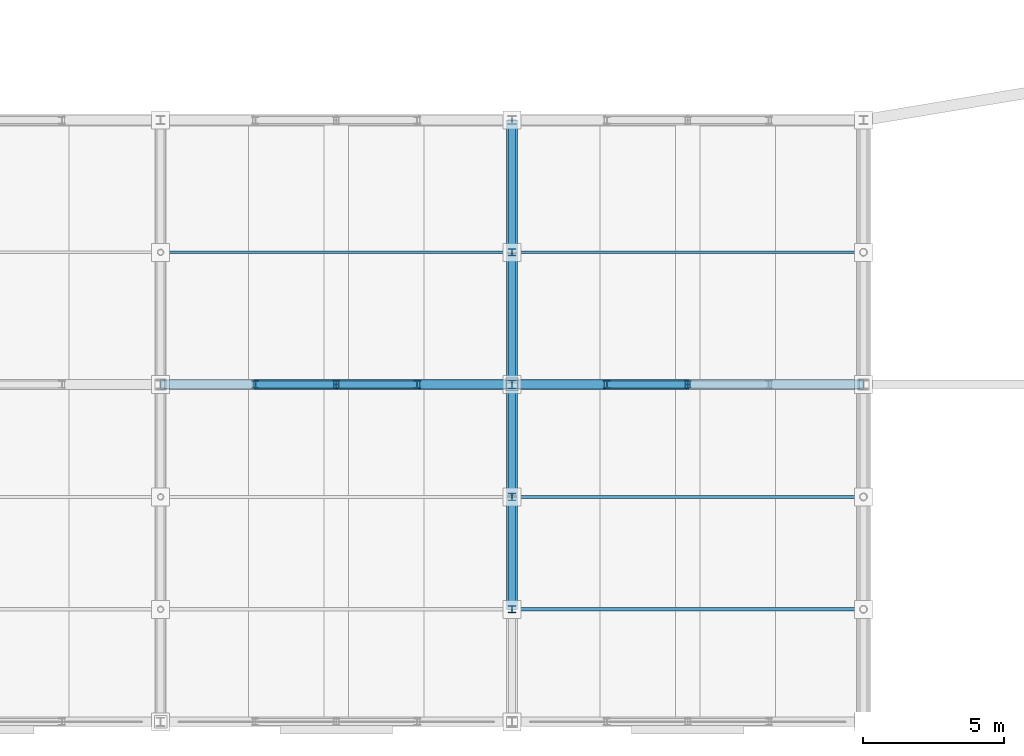
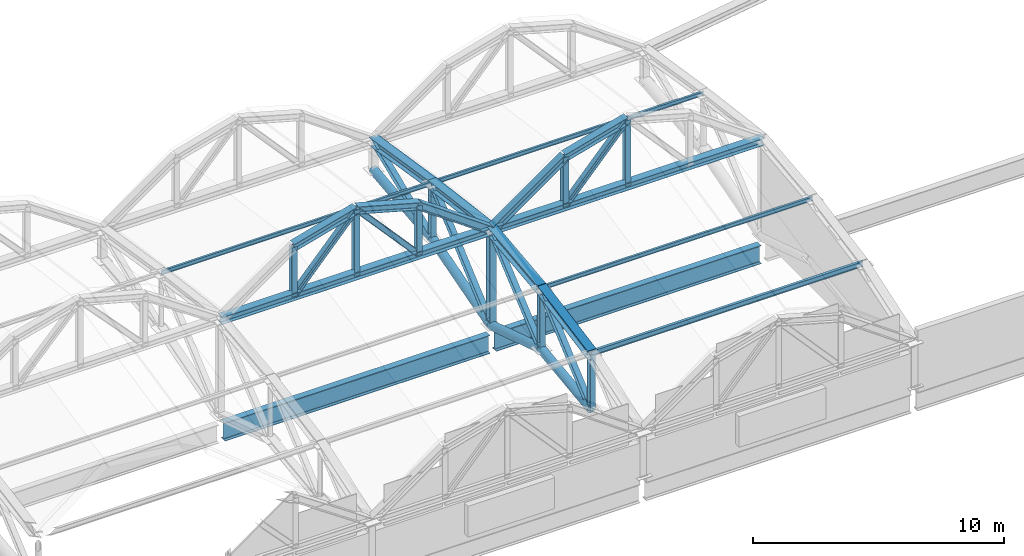
# One storey, part 53 of 117: 35 members, 2 beams.
"""IFC4 building model written with IfcOpenShell, lengths in metres."""

from ifc_helpers import new_model, si_unit, direction, frame, origin, origin_2d, place, context, subcontext, project, spatial, hollow_circle, i_section, extrude, material, material_profile, profile_set, type_object, element, save


model = new_model("IFC4")

# Units and contexts
model_context = context("Model", 3, precision=1e-05, world=origin(), true_north=direction((0.0, 1.0)))
body_context = subcontext(model_context, "Body", "Model", "MODEL_VIEW")
ifc_project = project(units=[si_unit("LENGTHUNIT", "METRE"), si_unit("AREAUNIT", "SQUARE_METRE"), si_unit("VOLUMEUNIT", "CUBIC_METRE"), si_unit("PLANEANGLEUNIT", "RADIAN"), si_unit("MASSUNIT", "GRAM", prefix="KILO")], contexts=[model_context])

# Site, building, storey
site_placement = place(None, origin())
site = spatial("IfcSite", under=ifc_project, at=site_placement, CompositionType="ELEMENT")
building_placement = place(site_placement, origin())
building = spatial("IfcBuilding", under=site, at=building_placement, Name="Kazenohara Klinker Stadium", CompositionType="ELEMENT")
storey_placement = place(building_placement, frame((0.0, 0.0, 31.199951171875)))
storey = spatial("IfcBuildingStorey", under=building, at=storey_placement, Name="RF", CompositionType="ELEMENT", Elevation=31.199951171875)

# Members
ifc_material = material(Name="Steel S355", Category="steel")
ifc_material_profile_1 = material_profile(ifc_material, i_section(OverallWidth=0.25, OverallDepth=0.25, WebThickness=0.009033203125, FlangeThickness=0.013916015625, FilletRadius=0.012939453125, at=origin_2d()), Name="H-250x250x9x14")
ifc_profile_set_1 = profile_set([ifc_material_profile_1], Name="Steel S355")
member_type_1 = type_object("IfcMemberType", Name="MEM-BRC02", PredefinedType="BRACE", material=ifc_profile_set_1)
member_1_placement = place(storey_placement, frame((137.5, 28.0, 0.75), z_axis=(0.0, 0.757253091298, 0.653121547432), x_axis=(-1.0, 0.0, 0.0)))
element("IfcMember", 1, at=member_1_placement, inside=storey, type_object=member_type_1, Name="ROOF TRUSS RT-S07 web diagonal 2", PredefinedType="BRACE", context=body_context, shape_type="SweptSolid", body=[
    extrude(i_section(OverallWidth=0.25, OverallDepth=0.25, WebThickness=0.009033203125, FlangeThickness=0.013916015625, FilletRadius=0.012939453125, at=origin_2d()), origin(), (0.0, 0.0, 1.0), 5.2822265625),
])
member_2_placement = place(storey_placement, frame((137.5, 32.0, 1.25), z_axis=(0.0, 0.761925548551, 0.647664618815), x_axis=(-1.0, 0.0, 0.0)))
element("IfcMember", 2, at=member_2_placement, inside=storey, type_object=member_type_1, Name="ROOF TRUSS RT-S07 web diagonal 3", PredefinedType="BRACE", context=body_context, shape_type="SweptSolid", body=[
    extrude(i_section(OverallWidth=0.25, OverallDepth=0.25, WebThickness=0.009033203125, FlangeThickness=0.013916015625, FilletRadius=0.012939453125, at=origin_2d()), origin(), (0.0, 0.0, 1.0), 5.249755859375),
])
member_3_placement = place(storey_placement, frame((137.5, 36.0, -0.02001953125), z_axis=(0.0, 0.755945561544, 0.65463448426), x_axis=(-1.0, 0.0, 0.0)))
element("IfcMember", 3, at=member_3_placement, inside=storey, type_object=member_type_1, Name="ROOF TRUSS RT-S07 web diagonal 4", PredefinedType="BRACE", context=body_context, shape_type="SweptSolid", body=[
    extrude(i_section(OverallWidth=0.25, OverallDepth=0.25, WebThickness=0.009033203125, FlangeThickness=0.013916015625, FilletRadius=0.012939453125, at=origin_2d()), origin(), (0.0, 0.0, 1.0), 6.21728515625),
])
member_4_placement = place(storey_placement, frame((137.5, 40.699951171875, 1.35009765625), z_axis=(0.0, 0.923659284192, 0.383214726655), x_axis=(-1.0, 0.0, 0.0)))
element("IfcMember", 4, at=member_4_placement, inside=storey, type_object=member_type_1, Name="ROOF TRUSS RT-S07 web diagonal 5", PredefinedType="BRACE", context=body_context, shape_type="SweptSolid", body=[
    extrude(i_section(OverallWidth=0.25, OverallDepth=0.25, WebThickness=0.009033203125, FlangeThickness=0.013916015625, FilletRadius=0.012939453125, at=origin_2d()), origin(), (0.0, 0.0, 1.0), 5.08837890625),
])
ifc_material_profile_2 = material_profile(ifc_material, i_section(OverallWidth=0.39990234375, OverallDepth=0.39990234375, WebThickness=0.012939453125, FlangeThickness=0.02099609375, FilletRadius=0.02197265625, at=origin_2d()), Name="H-400x400x13x21")
ifc_profile_set_2 = profile_set([ifc_material_profile_2], Name="Steel S355")
member_type_2 = type_object("IfcMemberType", Name="MEM-CHD01", PredefinedType="CHORD", material=ifc_profile_set_2)
member_5_placement = place(storey_placement, frame((137.5, 28.0, 3.449951171875), z_axis=(0.0, 0.982872186934, 0.18428853505), x_axis=(-1.0, 0.0, 0.0)))
element("IfcMember", 5, at=member_5_placement, inside=storey, type_object=member_type_2, Name="ROOF TRUSS RT-S07 top arched chord 2", PredefinedType="CHORD", context=body_context, shape_type="SweptSolid", body=[
    extrude(i_section(OverallWidth=0.39990234375, OverallDepth=0.39990234375, WebThickness=0.012939453125, FlangeThickness=0.02099609375, FilletRadius=0.02197265625, at=origin_2d()), origin(), (0.0, 0.0, 1.0), 4.06982421875),
])
member_6_placement = place(storey_placement, frame((137.5, 32.0, 4.199951171875), z_axis=(0.0, 0.993725924527, 0.111842688283), x_axis=(-1.0, 0.0, 0.0)))
element("IfcMember", 6, at=member_6_placement, inside=storey, type_object=member_type_2, Name="ROOF TRUSS RT-S07 top arched chord 3", PredefinedType="CHORD", context=body_context, shape_type="SweptSolid", body=[
    extrude(i_section(OverallWidth=0.39990234375, OverallDepth=0.39990234375, WebThickness=0.012939453125, FlangeThickness=0.02099609375, FilletRadius=0.02197265625, at=origin_2d()), origin(), (0.0, 0.0, 1.0), 4.025146484375),
])
member_7_placement = place(storey_placement, frame((137.5, 36.0, 4.650146484375), z_axis=(0.0, 0.99194702514, -0.126653461524), x_axis=(-1.0, 0.0, 0.0)))
element("IfcMember", 7, at=member_7_placement, inside=storey, type_object=member_type_2, Name="ROOF TRUSS RT-S07 top arched chord 4", PredefinedType="CHORD", context=body_context, shape_type="SweptSolid", body=[
    extrude(i_section(OverallWidth=0.39990234375, OverallDepth=0.39990234375, WebThickness=0.012939453125, FlangeThickness=0.02099609375, FilletRadius=0.02197265625, at=origin_2d()), origin(), (0.0, 0.0, 1.0), 4.738037109375),
])
member_8_placement = place(storey_placement, frame((137.5, 40.699951171875, 4.050048828125), z_axis=(0.0, 0.987505848374, -0.157582357602), x_axis=(-1.0, 0.0, 0.0)))
element("IfcMember", 8, at=member_8_placement, inside=storey, type_object=member_type_2, Name="ROOF TRUSS RT-S07 top arched chord 5", PredefinedType="CHORD", context=body_context, shape_type="SweptSolid", body=[
    extrude(i_section(OverallWidth=0.39990234375, OverallDepth=0.39990234375, WebThickness=0.012939453125, FlangeThickness=0.02099609375, FilletRadius=0.02197265625, at=origin_2d()), origin(), (0.0, 0.0, 1.0), 4.759521484375),
])
ifc_material_profile_3 = material_profile(ifc_material, i_section(OverallWidth=0.35009765625, OverallDepth=0.35009765625, WebThickness=0.011962890625, FlangeThickness=0.01904296875, FilletRadius=0.012939453125, at=origin_2d()), Name="H-350x350x12x19")
ifc_profile_set_3 = profile_set([ifc_material_profile_3], Name="Steel S355")
member_type_3 = type_object("IfcMemberType", Name="MEM-CHD02", PredefinedType="CHORD", material=ifc_profile_set_3)
member_9_placement = place(storey_placement, frame((125.0, 36.0, 4.650146484375), z_axis=(1.0, 0.0, 0.0), x_axis=(0.0, 1.0, 0.0)))
element("IfcMember", 9, at=member_9_placement, inside=storey, type_object=member_type_3, Name="Barrel arch tie chord TC02 S-06-N3", PredefinedType="CHORD", context=body_context, shape_type="SweptSolid", body=[
    extrude(i_section(OverallWidth=0.35009765625, OverallDepth=0.35009765625, WebThickness=0.011962890625, FlangeThickness=0.01904296875, FilletRadius=0.012939453125, at=origin_2d()), origin(), (0.0, 0.0, 1.0), 12.5),
])
for number, where, z_axis, x_axis, name in (
    (10, (128.375, 36.0, 7.050048828125), (0.963393567269, 0.0, 0.268091093745), (0.0, 1.0, 0.0), "Barrel arch top rib TC02 S-06-N3-S2"),
    (11, (131.25, 36.0, 7.85009765625), (0.963393567269, 0.0, -0.268091093745), (0.0, 1.0, 0.0), "Barrel arch top rib TC02 S-06-N3-S3"),
):
    element("IfcMember", number, at=place(storey_placement, frame(where, z_axis=z_axis, x_axis=x_axis)), inside=storey, type_object=member_type_3, Name=name, PredefinedType="CHORD", context=body_context, shape_type="SweptSolid", body=[
        extrude(i_section(OverallWidth=0.35009765625, OverallDepth=0.35009765625, WebThickness=0.011962890625, FlangeThickness=0.01904296875, FilletRadius=0.012939453125, at=origin_2d()), origin(), (0.0, 0.0, 1.0), 2.984130859375),
    ])
member_10_placement = place(storey_placement, frame((134.125, 36.0, 7.050048828125), z_axis=(0.814966461491, 0.0, -0.579508124744), x_axis=(0.0, 1.0, 0.0)))
element("IfcMember", 12, at=member_10_placement, inside=storey, type_object=member_type_3, Name="Barrel arch top rib TC02 S-06-N3-S4", PredefinedType="CHORD", context=body_context, shape_type="SweptSolid", body=[
    extrude(i_section(OverallWidth=0.35009765625, OverallDepth=0.35009765625, WebThickness=0.011962890625, FlangeThickness=0.01904296875, FilletRadius=0.012939453125, at=origin_2d()), origin(), (0.0, 0.0, 1.0), 4.141357421875),
])
member_11_placement = place(storey_placement, frame((137.5, 36.0, 4.650146484375), z_axis=(1.0, 0.0, 0.0), x_axis=(0.0, 1.0, 0.0)))
element("IfcMember", 13, at=member_11_placement, inside=storey, type_object=member_type_3, Name="Barrel arch tie chord TC02 S-07-N3", PredefinedType="CHORD", context=body_context, shape_type="SweptSolid", body=[
    extrude(i_section(OverallWidth=0.35009765625, OverallDepth=0.35009765625, WebThickness=0.011962890625, FlangeThickness=0.01904296875, FilletRadius=0.012939453125, at=origin_2d()), origin(), (0.0, 0.0, 1.0), 12.5),
])
member_12_placement = place(storey_placement, frame((137.5, 36.0, 4.650146484375), z_axis=(0.814966461491, 0.0, 0.579508124744), x_axis=(0.0, 1.0, 0.0)))
element("IfcMember", 14, at=member_12_placement, inside=storey, type_object=member_type_3, Name="Barrel arch top rib TC02 S-07-N3-S1", PredefinedType="CHORD", context=body_context, shape_type="SweptSolid", body=[
    extrude(i_section(OverallWidth=0.35009765625, OverallDepth=0.35009765625, WebThickness=0.011962890625, FlangeThickness=0.01904296875, FilletRadius=0.012939453125, at=origin_2d()), origin(), (0.0, 0.0, 1.0), 4.141357421875),
])
member_13_placement = place(storey_placement, frame((140.875, 36.0, 7.050048828125), z_axis=(0.963393567269, 0.0, 0.268091093745), x_axis=(0.0, 1.0, 0.0)))
element("IfcMember", 15, at=member_13_placement, inside=storey, type_object=member_type_3, Name="Barrel arch top rib TC02 S-07-N3-S2", PredefinedType="CHORD", context=body_context, shape_type="SweptSolid", body=[
    extrude(i_section(OverallWidth=0.35009765625, OverallDepth=0.35009765625, WebThickness=0.011962890625, FlangeThickness=0.01904296875, FilletRadius=0.012939453125, at=origin_2d()), origin(), (0.0, 0.0, 1.0), 2.984130859375),
])
ifc_material_profile_4 = material_profile(ifc_material, hollow_circle(Radius=0.203125, WallThickness=0.011962890625, at=origin_2d()), Name="CHS-406.4x12")
ifc_profile_set_4 = profile_set([ifc_material_profile_4], Name="Steel S355")
member_type_4 = type_object("IfcMemberType", Name="MEM-CHD03", PredefinedType="CHORD", material=ifc_profile_set_4)
member_14_placement = place(storey_placement, frame((137.5, 28.0, 0.75), z_axis=(0.0, 0.992277876714, 0.124034734589), x_axis=(-1.0, 0.0, 0.0)))
element("IfcMember", 16, at=member_14_placement, inside=storey, type_object=member_type_4, Name="ROOF TRUSS RT-S07 bottom arched chord 2", PredefinedType="CHORD", context=body_context, shape_type="SweptSolid", body=[
    extrude(hollow_circle(Radius=0.203125, WallThickness=0.011962890625, at=origin_2d()), origin(), (0.0, 0.0, 1.0), 4.03125),
])
member_15_placement = place(storey_placement, frame((137.5, 32.0, 1.25), z_axis=(0.0, 0.953112016541, -0.302617719119), x_axis=(-1.0, 0.0, 0.0)))
element("IfcMember", 17, at=member_15_placement, inside=storey, type_object=member_type_4, Name="ROOF TRUSS RT-S07 bottom arched chord 3", PredefinedType="CHORD", context=body_context, shape_type="SweptSolid", body=[
    extrude(hollow_circle(Radius=0.203125, WallThickness=0.011962890625, at=origin_2d()), origin(), (0.0, 0.0, 1.0), 4.19677734375),
])
member_16_placement = place(storey_placement, frame((137.5, 36.0, -0.02001953125), z_axis=(0.0, 0.960038530088, 0.279867863012), x_axis=(-1.0, 0.0, 0.0)))
element("IfcMember", 18, at=member_16_placement, inside=storey, type_object=member_type_4, Name="ROOF TRUSS RT-S07 bottom arched chord 4", PredefinedType="CHORD", context=body_context, shape_type="SweptSolid", body=[
    extrude(hollow_circle(Radius=0.203125, WallThickness=0.011962890625, at=origin_2d()), origin(), (0.0, 0.0, 1.0), 4.8955078125),
])
member_17_placement = place(storey_placement, frame((137.5, 40.699951171875, 1.35009765625), z_axis=(0.0, 0.99438879757, 0.105787141313), x_axis=(-1.0, 0.0, 0.0)))
element("IfcMember", 19, at=member_17_placement, inside=storey, type_object=member_type_4, Name="ROOF TRUSS RT-S07 bottom arched chord 5", PredefinedType="CHORD", context=body_context, shape_type="SweptSolid", body=[
    extrude(hollow_circle(Radius=0.203125, WallThickness=0.011962890625, at=origin_2d()), origin(), (0.0, 0.0, 1.0), 4.7265625),
])
ifc_material_profile_5 = material_profile(ifc_material, i_section(OverallWidth=0.125, OverallDepth=0.25, WebThickness=0.006103515625, FlangeThickness=0.009033203125, FilletRadius=0.008056640625, at=origin_2d()), Name="H-250x125x6x9")
ifc_profile_set_5 = profile_set([ifc_material_profile_5], Name="Steel S355")
member_type_5 = type_object("IfcMemberType", Name="MEM-PUR01", PredefinedType="PURLIN", material=ifc_profile_set_5)
member_18_placement = place(storey_placement, frame((137.5, 28.0, 3.469970703125), z_axis=(1.0, 0.0, 0.0), x_axis=(0.0, 1.0, 0.0)))
element("IfcMember", 20, at=member_18_placement, inside=storey, type_object=member_type_5, Name="Canopy valley tie purlin PR01 S-07-N1", PredefinedType="PURLIN", context=body_context, shape_type="SweptSolid", body=[
    extrude(i_section(OverallWidth=0.125, OverallDepth=0.25, WebThickness=0.006103515625, FlangeThickness=0.009033203125, FilletRadius=0.008056640625, at=origin_2d()), origin(), (0.0, 0.0, 1.0), 12.5),
])
ifc_material_profile_6 = material_profile(ifc_material, i_section(OverallWidth=0.10009765625, OverallDepth=0.199951171875, WebThickness=0.005615234375, FlangeThickness=0.008056640625, FilletRadius=0.008056640625, at=origin_2d()), Name="H-200x100x5.5x8")
ifc_profile_set_6 = profile_set([ifc_material_profile_6], Name="Steel S355")
member_type_6 = type_object("IfcMemberType", Name="MEM-PUR02", PredefinedType="PURLIN", material=ifc_profile_set_6)
for number, where, z_axis, x_axis, name in (
    (21, (125.0, 40.699951171875, 4.070068359375), (1.0, 0.0, 0.0), (0.0, 1.0, 0.0), "Canopy valley tie purlin PR02 S-06-N4"),
    (22, (137.5, 32.0, 4.219970703125), (1.0, 0.0, 0.0), (0.0, 1.0, 0.0), "Canopy valley tie purlin PR02 S-07-N2"),
    (23, (137.5, 40.699951171875, 4.070068359375), (1.0, 0.0, 0.0), (0.0, 1.0, 0.0), "Canopy valley tie purlin PR02 S-07-N4"),
):
    element("IfcMember", number, at=place(storey_placement, frame(where, z_axis=z_axis, x_axis=x_axis)), inside=storey, type_object=member_type_6, Name=name, PredefinedType="PURLIN", context=body_context, shape_type="SweptSolid", body=[
        extrude(i_section(OverallWidth=0.10009765625, OverallDepth=0.199951171875, WebThickness=0.005615234375, FlangeThickness=0.008056640625, FilletRadius=0.008056640625, at=origin_2d()), origin(), (0.0, 0.0, 1.0), 12.5),
    ])
ifc_material_profile_7 = material_profile(ifc_material, i_section(OverallWidth=0.300048828125, OverallDepth=0.300048828125, WebThickness=0.010009765625, FlangeThickness=0.014892578125, FilletRadius=0.012939453125, at=origin_2d()), Name="H-300x300x10x15")
ifc_profile_set_7 = profile_set([ifc_material_profile_7], Name="Steel S355")
member_type_7 = type_object("IfcMemberType", Name="MEM-STR01", PredefinedType="STRUT", material=ifc_profile_set_7)
member_19_placement = place(storey_placement, frame((137.5, 36.0, -0.02001953125), z_axis=(0.0, 0.0, 1.0), x_axis=(1.0, 0.0, 0.0)))
element("IfcMember", 24, at=member_19_placement, inside=storey, type_object=member_type_7, Name="ROOF TRUSS RT-S07 web post 4", PredefinedType="STRUT", context=body_context, shape_type="SweptSolid", body=[
    extrude(i_section(OverallWidth=0.300048828125, OverallDepth=0.300048828125, WebThickness=0.010009765625, FlangeThickness=0.014892578125, FilletRadius=0.012939453125, at=origin_2d()), origin(), (0.0, 0.0, 1.0), 4.670166015625),
])
ifc_material_profile_8 = material_profile(ifc_material, i_section(OverallWidth=0.25, OverallDepth=0.25, WebThickness=0.009033203125, FlangeThickness=0.013916015625, FilletRadius=0.012939453125, at=origin_2d()), Name="H-250x250x9x14")
ifc_profile_set_8 = profile_set([ifc_material_profile_8], Name="Steel S355")
member_type_8 = type_object("IfcMemberType", Name="MEM-STR02", PredefinedType="STRUT", material=ifc_profile_set_8)
member_20_placement = place(storey_placement, frame((137.5, 28.0, 0.75), z_axis=(0.0, 0.0, 1.0), x_axis=(1.0, 0.0, 0.0)))
element("IfcMember", 25, at=member_20_placement, inside=storey, type_object=member_type_8, Name="ROOF TRUSS RT-S07 web post 2", PredefinedType="STRUT", context=body_context, shape_type="SweptSolid", body=[
    extrude(i_section(OverallWidth=0.25, OverallDepth=0.25, WebThickness=0.009033203125, FlangeThickness=0.013916015625, FilletRadius=0.012939453125, at=origin_2d()), origin(), (0.0, 0.0, 1.0), 2.699951171875),
])
member_21_placement = place(storey_placement, frame((137.5, 32.0, 1.25), z_axis=(0.0, 0.0, 1.0), x_axis=(1.0, 0.0, 0.0)))
element("IfcMember", 26, at=member_21_placement, inside=storey, type_object=member_type_8, Name="ROOF TRUSS RT-S07 web post 3", PredefinedType="STRUT", context=body_context, shape_type="SweptSolid", body=[
    extrude(i_section(OverallWidth=0.25, OverallDepth=0.25, WebThickness=0.009033203125, FlangeThickness=0.013916015625, FilletRadius=0.012939453125, at=origin_2d()), origin(), (0.0, 0.0, 1.0), 2.949951171875),
])
member_22_placement = place(storey_placement, frame((137.5, 40.699951171875, 1.35009765625), z_axis=(0.0, 0.0, 1.0), x_axis=(1.0, 0.0, 0.0)))
element("IfcMember", 27, at=member_22_placement, inside=storey, type_object=member_type_8, Name="ROOF TRUSS RT-S07 web post 5", PredefinedType="STRUT", context=body_context, shape_type="SweptSolid", body=[
    extrude(i_section(OverallWidth=0.25, OverallDepth=0.25, WebThickness=0.009033203125, FlangeThickness=0.013916015625, FilletRadius=0.012939453125, at=origin_2d()), origin(), (0.0, 0.0, 1.0), 2.699951171875),
])
member_23_placement = place(storey_placement, frame((128.375, 36.0, 4.650146484375), z_axis=(0.0, 0.0, 1.0), x_axis=(1.0, 0.0, 0.0)))
element("IfcMember", 28, at=member_23_placement, inside=storey, type_object=member_type_8, Name="Barrel arch web post TS02 S-06-N3-P1", PredefinedType="STRUT", context=body_context, shape_type="SweptSolid", body=[
    extrude(i_section(OverallWidth=0.25, OverallDepth=0.25, WebThickness=0.009033203125, FlangeThickness=0.013916015625, FilletRadius=0.012939453125, at=origin_2d()), origin(), (0.0, 0.0, 1.0), 2.39990234375),
])
member_24_placement = place(storey_placement, frame((131.25, 36.0, 4.650146484375), z_axis=(0.0, 0.0, 1.0), x_axis=(1.0, 0.0, 0.0)))
element("IfcMember", 29, at=member_24_placement, inside=storey, type_object=member_type_8, Name="Barrel arch web post TS02 S-06-N3-P2", PredefinedType="STRUT", context=body_context, shape_type="SweptSolid", body=[
    extrude(i_section(OverallWidth=0.25, OverallDepth=0.25, WebThickness=0.009033203125, FlangeThickness=0.013916015625, FilletRadius=0.012939453125, at=origin_2d()), origin(), (0.0, 0.0, 1.0), 3.199951171875),
])
member_25_placement = place(storey_placement, frame((134.125, 36.0, 4.650146484375), z_axis=(0.0, 0.0, 1.0), x_axis=(1.0, 0.0, 0.0)))
element("IfcMember", 30, at=member_25_placement, inside=storey, type_object=member_type_8, Name="Barrel arch web post TS02 S-06-N3-P3", PredefinedType="STRUT", context=body_context, shape_type="SweptSolid", body=[
    extrude(i_section(OverallWidth=0.25, OverallDepth=0.25, WebThickness=0.009033203125, FlangeThickness=0.013916015625, FilletRadius=0.012939453125, at=origin_2d()), origin(), (0.0, 0.0, 1.0), 2.39990234375),
])
for number, where, z_axis, x_axis, name in (
    (31, (128.375, 36.0, 4.650146484375), (0.668327970369, 0.0, 0.74386673808), (0.0, 1.0, 0.0), "Barrel arch web diagonal TS02 S-06-N3-D1"),
    (32, (134.125, 36.0, 4.650146484375), (-0.668327970369, 0.0, 0.74386673808), (0.0, -1.0, 0.0), "Barrel arch web diagonal TS02 S-06-N3-D2"),
):
    element("IfcMember", number, at=place(storey_placement, frame(where, z_axis=z_axis, x_axis=x_axis)), inside=storey, type_object=member_type_8, Name=name, PredefinedType="STRUT", context=body_context, shape_type="SweptSolid", body=[
        extrude(i_section(OverallWidth=0.25, OverallDepth=0.25, WebThickness=0.009033203125, FlangeThickness=0.013916015625, FilletRadius=0.012939453125, at=origin_2d()), origin(), (0.0, 0.0, 1.0), 4.3017578125),
    ])
member_26_placement = place(storey_placement, frame((140.875, 36.0, 4.650146484375), z_axis=(0.0, 0.0, 1.0), x_axis=(1.0, 0.0, 0.0)))
element("IfcMember", 33, at=member_26_placement, inside=storey, type_object=member_type_8, Name="Barrel arch web post TS02 S-07-N3-P1", PredefinedType="STRUT", context=body_context, shape_type="SweptSolid", body=[
    extrude(i_section(OverallWidth=0.25, OverallDepth=0.25, WebThickness=0.009033203125, FlangeThickness=0.013916015625, FilletRadius=0.012939453125, at=origin_2d()), origin(), (0.0, 0.0, 1.0), 2.39990234375),
])
member_27_placement = place(storey_placement, frame((143.75, 36.0, 4.650146484375), z_axis=(0.0, 0.0, 1.0), x_axis=(1.0, 0.0, 0.0)))
element("IfcMember", 34, at=member_27_placement, inside=storey, type_object=member_type_8, Name="Barrel arch web post TS02 S-07-N3-P2", PredefinedType="STRUT", context=body_context, shape_type="SweptSolid", body=[
    extrude(i_section(OverallWidth=0.25, OverallDepth=0.25, WebThickness=0.009033203125, FlangeThickness=0.013916015625, FilletRadius=0.012939453125, at=origin_2d()), origin(), (0.0, 0.0, 1.0), 3.199951171875),
])
member_28_placement = place(storey_placement, frame((140.875, 36.0, 4.650146484375), z_axis=(0.668327970369, 0.0, 0.74386673808), x_axis=(0.0, 1.0, 0.0)))
element("IfcMember", 35, at=member_28_placement, inside=storey, type_object=member_type_8, Name="Barrel arch web diagonal TS02 S-07-N3-D1", PredefinedType="STRUT", context=body_context, shape_type="SweptSolid", body=[
    extrude(i_section(OverallWidth=0.25, OverallDepth=0.25, WebThickness=0.009033203125, FlangeThickness=0.013916015625, FilletRadius=0.012939453125, at=origin_2d()), origin(), (0.0, 0.0, 1.0), 4.3017578125),
])

# Beams
ifc_material_profile_9 = material_profile(ifc_material, i_section(OverallWidth=0.300048828125, OverallDepth=0.89990234375, WebThickness=0.01611328125, FlangeThickness=0.028076171875, FilletRadius=0.02197265625, at=origin_2d()), Name="H-900x300x16x28")
ifc_profile_set_9 = profile_set([ifc_material_profile_9], Name="Steel S355")
beam_type = type_object("IfcBeamType", Name="RING-RB01", PredefinedType="USERDEFINED", material=ifc_profile_set_9)
for number, where, z_axis, x_axis, name in (
    (36, (125.139892578125, 36.0, -0.820068359375), (1.0, 0.0, 0.0), (0.0, 1.0, 0.0), "Roof ring beam RB01 S-IN 11-12"),
    (37, (137.639892578125, 36.0, -0.820068359375), (1.0, 0.0, 0.0), (0.0, 1.0, 0.0), "Roof ring beam RB01 S-IN 12-13"),
):
    element("IfcBeam", number, at=place(storey_placement, frame(where, z_axis=z_axis, x_axis=x_axis)), inside=storey, type_object=beam_type, Name=name, ObjectType="RING BEAM", PredefinedType="USERDEFINED", context=body_context, shape_type="SweptSolid", body=[
        extrude(i_section(OverallWidth=0.300048828125, OverallDepth=0.89990234375, WebThickness=0.01611328125, FlangeThickness=0.028076171875, FilletRadius=0.02197265625, at=origin_2d()), origin(), (0.0, 0.0, 1.0), 12.22021484375),
    ])

save(model, "model.ifc")
